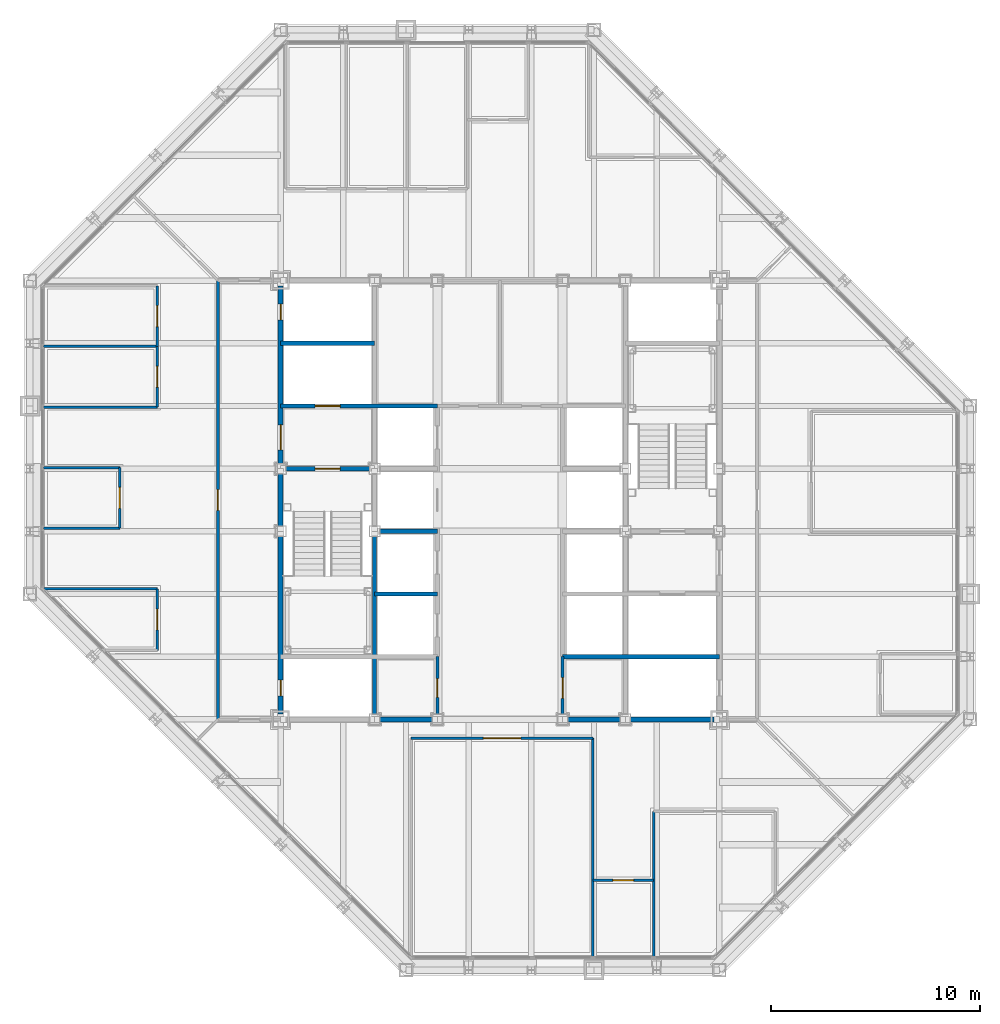
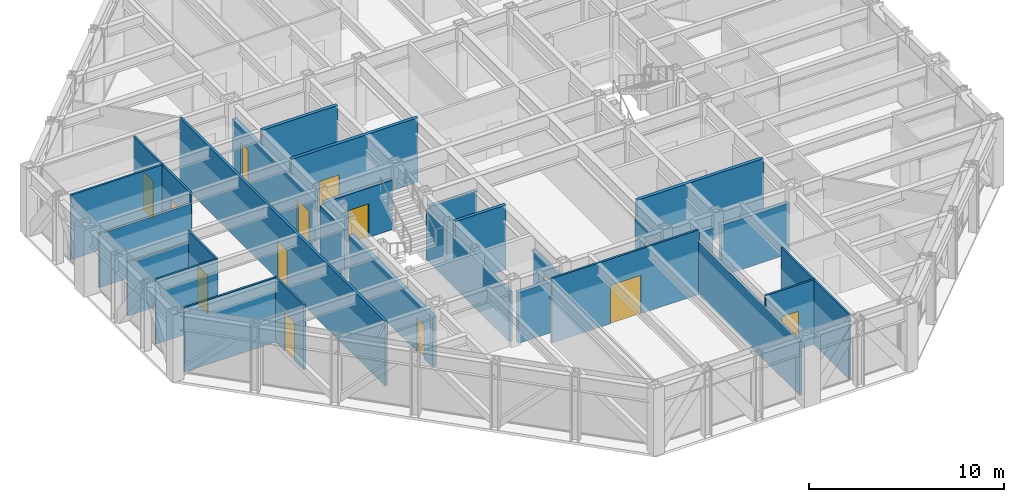
# One storey, part 11 of 16: 29 walls, 14 doors, 14 openings.
"""IFC4 building model written with IfcOpenShell, lengths in metres."""

from ifc_helpers import new_model, si_unit, direction, frame, frame_2d, origin, place, context, subcontext, project, spatial, rectangle, extrude, material, layer, layer_set, type_object, element, fill, save


model = new_model("IFC4")

# Units and contexts
model_context = context("Model", 3, precision=1e-05, world=origin(), true_north=direction((0.0, 1.0)))
body_context = subcontext(model_context, "Body", "Model", "MODEL_VIEW")
ifc_project = project(units=[si_unit("LENGTHUNIT", "METRE"), si_unit("AREAUNIT", "SQUARE_METRE"), si_unit("VOLUMEUNIT", "CUBIC_METRE"), si_unit("PLANEANGLEUNIT", "RADIAN"), si_unit("MASSUNIT", "GRAM", prefix="KILO")], contexts=[model_context])

# Site, building, storey
site_placement = place(None, origin())
site = spatial("IfcSite", under=ifc_project, at=site_placement, CompositionType="ELEMENT")
building_placement = place(site_placement, origin())
building = spatial("IfcBuilding", under=site, at=building_placement, Name="Chuquiago Exchange Tower", CompositionType="ELEMENT")
storey_placement = place(building_placement, frame((0.0, 0.0, 239.10009765625)))
storey = spatial("IfcBuildingStorey", under=building, at=storey_placement, Name="L53", CompositionType="ELEMENT", Elevation=239.10009765625)

# Wall, opening, door
ifc_material_1 = material(Name="Concrete masonry, fully grouted", Category="masonry")
ifc_layer_1 = layer(ifc_material_1, 0.25)
ifc_layer_set_1 = layer_set([ifc_layer_1], Name="W1 core wall 250")
wall_type_1 = type_object("IfcWallType", Name="W1 core wall 250", PredefinedType="SOLIDWALL", material=ifc_layer_set_1)
wall_1_placement = place(storey_placement, frame((12.0, 12.25, 0.0), z_axis=(0.0, 0.0, 1.0), x_axis=(0.0, 1.0, 0.0)))
wall_1 = element("IfcWall", 1, at=wall_1_placement, inside=storey, type_object=wall_type_1, Name="CW-L53-00-0", PredefinedType="SOLIDWALL", context=body_context, shape_type="SweptSolid", body=[
    extrude(rectangle(XDim=8.5, YDim=0.25, at=frame_2d((4.25, 0.0))), origin(), (0.0, 0.0, 1.0), 3.11279296875),
])
opening_1_placement = place(wall_1_placement, frame((0.875, 0.0, 0.0)))
opening_1 = element("IfcOpeningElement", 2, at=opening_1_placement, cuts=wall_1, Name="Opening L53-007", PredefinedType="OPENING", context=body_context, shape_type="SweptSolid", body=[
    extrude(rectangle(XDim=0.75, YDim=2.10009765625, at=frame_2d((0.375, 1.050048828125))), frame((0.0, 0.135009765625, 0.0), z_axis=(0.0, -1.0, 0.0), x_axis=(1.0, 0.0, 0.0)), (0.0, 0.0, 1.0), 0.27001953125),
])
ifc_material_2 = material(Name="Steel door, painted", Category="steel")
door_type_1 = type_object("IfcDoorType", Name="D6 riser access door 750x2100", OperationType="SINGLE_SWING_LEFT", PredefinedType="DOOR", material=ifc_material_2)
door_1_placement = place(opening_1_placement, origin())
door_1 = element("IfcDoor", 3, at=door_1_placement, inside=storey, type_object=door_type_1, Name="Riser RW1 door", OperationType="SINGLE_SWING_LEFT", OverallHeight=2.10009765625, OverallWidth=0.75, PredefinedType="DOOR", context=body_context, shape_type="SweptSolid", body=[
    extrude(rectangle(XDim=0.75, YDim=2.10009765625, at=frame_2d((0.375, 1.050048828125))), frame((0.0, 0.02490234375, 0.0), z_axis=(0.0, -1.0, 0.0), x_axis=(1.0, 0.0, 0.0)), (0.0, 0.0, 1.0), 0.050048828125),
])
fill(opening_1, door_1)

# Wall
wall_2_placement = place(storey_placement, frame((12.0, 21.25, 0.0), z_axis=(0.0, 0.0, 1.0), x_axis=(0.0, 1.0, 0.0)))
element("IfcWall", 4, at=wall_2_placement, inside=storey, type_object=wall_type_1, Name="CW-L53-00-1", PredefinedType="SOLIDWALL", context=body_context, shape_type="SweptSolid", body=[
    extrude(rectangle(XDim=2.5, YDim=0.25, at=frame_2d((1.25, 0.0))), origin(), (0.0, 0.0, 1.0), 3.11279296875),
])

# Wall, openings, doors
wall_3_placement = place(storey_placement, frame((12.0, 24.25, 0.0), z_axis=(0.0, 0.0, 1.0), x_axis=(0.0, 1.0, 0.0)))
wall_3 = element("IfcWall", 5, at=wall_3_placement, inside=storey, type_object=wall_type_1, Name="CW-L53-00-2", PredefinedType="SOLIDWALL", context=body_context, shape_type="SweptSolid", body=[
    extrude(rectangle(XDim=8.5, YDim=0.25, at=frame_2d((4.25, 0.0))), origin(), (0.0, 0.0, 1.0), 3.11279296875),
])
opening_2_placement = place(wall_3_placement, frame((0.64990234375, 0.0, 0.0)))
opening_2 = element("IfcOpeningElement", 6, at=opening_2_placement, cuts=wall_3, Name="Opening L53-002", PredefinedType="OPENING", context=body_context, shape_type="SweptSolid", body=[
    extrude(rectangle(XDim=1.199951171875, YDim=2.10009765625, at=frame_2d((0.60009765625, 1.050048828125))), frame((0.0, 0.135009765625, 0.0), z_axis=(0.0, -1.0, 0.0), x_axis=(1.0, 0.0, 0.0)), (0.0, 0.0, 1.0), 0.27001953125),
])
opening_3_placement = place(wall_3_placement, frame((6.875, 0.0, 0.0)))
opening_3 = element("IfcOpeningElement", 7, at=opening_3_placement, cuts=wall_3, Name="Opening L53-008", PredefinedType="OPENING", context=body_context, shape_type="SweptSolid", body=[
    extrude(rectangle(XDim=0.75, YDim=2.10009765625, at=frame_2d((0.375, 1.050048828125))), frame((0.0, 0.135009765625, 0.0), z_axis=(0.0, -1.0, 0.0), x_axis=(1.0, 0.0, 0.0)), (0.0, 0.0, 1.0), 0.27001953125),
])
ifc_material_3 = material(Name="Steel door, painted", Category="steel")
door_type_2 = type_object("IfcDoorType", Name="D5 firefighting lobby door 1200x2100", OperationType="SINGLE_SWING_LEFT", PredefinedType="DOOR", material=ifc_material_3)
door_2_placement = place(opening_2_placement, frame((1.199951171875, 0.0, 0.0), z_axis=(0.0, 0.0, 1.0), x_axis=(-1.0, 0.0, 0.0)))
door_2 = element("IfcDoor", 8, at=door_2_placement, inside=storey, type_object=door_type_2, Name="Firefighting lobby 1 door", OperationType="SINGLE_SWING_RIGHT", OverallHeight=2.10009765625, OverallWidth=1.199951171875, PredefinedType="DOOR", context=body_context, shape_type="SweptSolid", body=[
    extrude(rectangle(XDim=1.199951171875, YDim=2.10009765625, at=frame_2d((0.60009765625, 1.050048828125))), frame((0.0, 0.02490234375, 0.0), z_axis=(0.0, -1.0, 0.0), x_axis=(1.0, 0.0, 0.0)), (0.0, 0.0, 1.0), 0.050048828125),
])
fill(opening_2, door_2)
door_3_placement = place(opening_3_placement, origin())
door_3 = element("IfcDoor", 9, at=door_3_placement, inside=storey, type_object=door_type_1, Name="Riser RW2 door", OperationType="SINGLE_SWING_RIGHT", OverallHeight=2.10009765625, OverallWidth=0.75, PredefinedType="DOOR", context=body_context, shape_type="SweptSolid", body=[
    extrude(rectangle(XDim=0.75, YDim=2.10009765625, at=frame_2d((0.375, 1.050048828125))), frame((0.0, 0.02490234375, 0.0), z_axis=(0.0, -1.0, 0.0), x_axis=(1.0, 0.0, 0.0)), (0.0, 0.0, 1.0), 0.050048828125),
])
fill(opening_3, door_3)

# Walls
for number, where, z_axis, x_axis, name in (
    (10, (16.75, 12.0, 0.0), (0.0, 0.0, 1.0), (1.0, 0.0, 0.0), "CW-L53-01-1"),
    (11, (25.75, 12.0, 0.0), (0.0, 0.0, 1.0), (1.0, 0.0, 0.0), "CW-L53-02-0"),
):
    element("IfcWall", number, at=place(storey_placement, frame(where, z_axis=z_axis, x_axis=x_axis)), inside=storey, type_object=wall_type_1, Name=name, PredefinedType="SOLIDWALL", context=body_context, shape_type="SweptSolid", body=[
        extrude(rectangle(XDim=2.5, YDim=0.25, at=frame_2d((1.25, 0.0))), origin(), (0.0, 0.0, 1.0), 3.181396484375),
    ])
wall_4_placement = place(storey_placement, frame((28.75, 12.0, 0.0), z_axis=(0.0, 0.0, 1.0), x_axis=(1.0, 0.0, 0.0)))
element("IfcWall", 12, at=wall_4_placement, inside=storey, type_object=wall_type_1, Name="CW-L53-02-1", PredefinedType="SOLIDWALL", context=body_context, shape_type="SweptSolid", body=[
    extrude(rectangle(XDim=4.0, YDim=0.25, at=frame_2d((2.0, 0.0))), origin(), (0.0, 0.0, 1.0), 3.181396484375),
])

# Wall, opening, door
ifc_material_4 = material(Name="Gypsum board on steel studs, acoustic insulation", Category="steel")
ifc_layer_2 = layer(ifc_material_4, 0.14990234375)
ifc_layer_set_2 = layer_set([ifc_layer_2], Name="W11 corridor wall 150")
wall_type_2 = type_object("IfcWallType", Name="W11 corridor wall 150", PredefinedType="PARTITIONING", material=ifc_layer_set_2)
wall_5_placement = place(storey_placement, frame((9.0, 12.0, 0.0), z_axis=(0.0, 0.0, 1.0), x_axis=(0.0, 1.0, 0.0)))
wall_5 = element("IfcWall", 13, at=wall_5_placement, inside=storey, type_object=wall_type_2, Name="PW-L53-GW0", PredefinedType="PARTITIONING", context=body_context, shape_type="SweptSolid", body=[
    extrude(rectangle(XDim=21.0, YDim=0.14990234375, at=frame_2d((10.5, 0.0))), origin(), (0.0, 0.0, 1.0), 4.039794921875),
])
opening_4_placement = place(wall_5_placement, frame((10.0, 0.0, 0.0)))
opening_4 = element("IfcOpeningElement", 14, at=opening_4_placement, cuts=wall_5, Name="Opening L53-033", PredefinedType="OPENING", context=body_context, shape_type="SweptSolid", body=[
    extrude(rectangle(XDim=1.0, YDim=2.39990234375, at=frame_2d((0.5, 1.199951171875))), frame((0.0, 0.0849609375, 0.0), z_axis=(0.0, -1.0, 0.0), x_axis=(1.0, 0.0, 0.0)), (0.0, 0.0, 1.0), 0.169921875),
])
ifc_material_5 = material(Name="Timber door, laminate faced", Category="wood")
door_type_3 = type_object("IfcDoorType", Name="D9 room door 1000x2400", OperationType="SINGLE_SWING_LEFT", PredefinedType="DOOR", material=ifc_material_5)
door_4_placement = place(opening_4_placement, origin())
door_4 = element("IfcDoor", 15, at=door_4_placement, inside=storey, type_object=door_type_3, Name="Team area door", OperationType="SINGLE_SWING_LEFT", OverallHeight=2.39990234375, OverallWidth=1.0, PredefinedType="DOOR", context=body_context, shape_type="SweptSolid", body=[
    extrude(rectangle(XDim=1.0, YDim=2.39990234375, at=frame_2d((0.5, 1.199951171875))), frame((0.0, 0.02490234375, 0.0), z_axis=(0.0, -1.0, 0.0), x_axis=(1.0, 0.0, 0.0)), (0.0, 0.0, 1.0), 0.050048828125),
])
fill(opening_4, door_4)

# Wall
ifc_material_6 = material(Name="Concrete masonry, fully grouted", Category="masonry")
ifc_layer_3 = layer(ifc_material_6, 0.199951171875)
ifc_layer_set_3 = layer_set([ifc_layer_3], Name="W2 shaft wall 200")
wall_type_3 = type_object("IfcWallType", Name="W2 shaft wall 200", PredefinedType="SOLIDWALL", material=ifc_layer_set_3)
wall_6_placement = place(storey_placement, frame((25.5, 15.0, 0.0), z_axis=(0.0, 0.0, 1.0), x_axis=(1.0, 0.0, 0.0)))
element("IfcWall", 16, at=wall_6_placement, inside=storey, type_object=wall_type_3, Name="CW-L53-04-0", PredefinedType="SOLIDWALL", context=body_context, shape_type="SweptSolid", body=[
    extrude(rectangle(XDim=7.5, YDim=0.199951171875, at=frame_2d((3.75, 0.0))), origin(), (0.0, 0.0, 1.0), 4.039794921875),
])

# Wall, opening, door
wall_7_placement = place(storey_placement, frame((12.25, 24.0, 0.0), z_axis=(0.0, 0.0, 1.0), x_axis=(1.0, 0.0, 0.0)))
wall_7 = element("IfcWall", 17, at=wall_7_placement, inside=storey, type_object=wall_type_3, Name="CW-L53-05-0", PredefinedType="SOLIDWALL", context=body_context, shape_type="SweptSolid", body=[
    extrude(rectangle(XDim=4.0, YDim=0.199951171875, at=frame_2d((2.0, 0.0))), origin(), (0.0, 0.0, 1.0), 3.08984375),
])
opening_5_placement = place(wall_7_placement, frame((1.39990234375, 0.0, 0.0)))
opening_5 = element("IfcOpeningElement", 18, at=opening_5_placement, cuts=wall_7, Name="Opening L53-001", PredefinedType="OPENING", context=body_context, shape_type="SweptSolid", body=[
    extrude(rectangle(XDim=1.199951171875, YDim=2.10009765625, at=frame_2d((0.60009765625, 1.050048828125))), frame((0.0, 0.10986328125, 0.0), z_axis=(0.0, -1.0, 0.0), x_axis=(1.0, 0.0, 0.0)), (0.0, 0.0, 1.0), 0.219970703125),
])
ifc_material_7 = material(Name="Steel door, painted", Category="steel")
door_type_4 = type_object("IfcDoorType", Name="D4 stair door 1200x2100", OperationType="SINGLE_SWING_LEFT", PredefinedType="DOOR", material=ifc_material_7)
door_5_placement = place(opening_5_placement, frame((1.199951171875, 0.0, 0.0), z_axis=(0.0, 0.0, 1.0), x_axis=(-1.0, 0.0, 0.0)))
door_5 = element("IfcDoor", 19, at=door_5_placement, inside=storey, type_object=door_type_4, Name="Stair ST1 door", OperationType="SINGLE_SWING_RIGHT", OverallHeight=2.10009765625, OverallWidth=1.199951171875, PredefinedType="DOOR", context=body_context, shape_type="SweptSolid", body=[
    extrude(rectangle(XDim=1.199951171875, YDim=2.10009765625, at=frame_2d((0.60009765625, 1.050048828125))), frame((0.0, 0.02490234375, 0.0), z_axis=(0.0, -1.0, 0.0), x_axis=(1.0, 0.0, 0.0)), (0.0, 0.0, 1.0), 0.050048828125),
])
fill(opening_5, door_5)

wall_8_placement = place(storey_placement, frame((12.0, 27.0, 0.0), z_axis=(0.0, 0.0, 1.0), x_axis=(1.0, 0.0, 0.0)))
wall_8 = element("IfcWall", 20, at=wall_8_placement, inside=storey, type_object=wall_type_3, Name="CW-L53-07-0", PredefinedType="SOLIDWALL", context=body_context, shape_type="SweptSolid", body=[
    extrude(rectangle(XDim=7.5, YDim=0.199951171875, at=frame_2d((3.75, 0.0))), origin(), (0.0, 0.0, 1.0), 4.039794921875),
])
opening_6_placement = place(wall_8_placement, frame((1.64990234375, 0.0, 0.0)))
opening_6 = element("IfcOpeningElement", 21, at=opening_6_placement, cuts=wall_8, Name="Opening L53-005", PredefinedType="OPENING", context=body_context, shape_type="SweptSolid", body=[
    extrude(rectangle(XDim=1.199951171875, YDim=2.10009765625, at=frame_2d((0.60009765625, 1.050048828125))), frame((0.0, 0.10986328125, 0.0), z_axis=(0.0, -1.0, 0.0), x_axis=(1.0, 0.0, 0.0)), (0.0, 0.0, 1.0), 0.219970703125),
])
ifc_material_8 = material(Name="Stainless steel lift landing door", Category="steel")
door_type_5 = type_object("IfcDoorType", Name="LD2 firefighting lift landing door 1200x2100", OperationType="DOUBLE_DOOR_SLIDING", PredefinedType="DOOR", material=ifc_material_8)
door_6_placement = place(opening_6_placement, origin())
door_6 = element("IfcDoor", 22, at=door_6_placement, inside=storey, type_object=door_type_5, Name="Firefighting lift FL1 landing door", OperationType="DOUBLE_DOOR_SLIDING", OverallHeight=2.10009765625, OverallWidth=1.199951171875, PredefinedType="DOOR", context=body_context, shape_type="SweptSolid", body=[
    extrude(rectangle(XDim=1.199951171875, YDim=2.10009765625, at=frame_2d((0.60009765625, 1.050048828125))), frame((0.0, 0.02490234375, 0.0), z_axis=(0.0, -1.0, 0.0), x_axis=(1.0, 0.0, 0.0)), (0.0, 0.0, 1.0), 0.050048828125),
])
fill(opening_6, door_6)

# Walls
wall_9_placement = place(storey_placement, frame((12.0, 30.0, 0.0), z_axis=(0.0, 0.0, 1.0), x_axis=(1.0, 0.0, 0.0)))
element("IfcWall", 23, at=wall_9_placement, inside=storey, type_object=wall_type_3, Name="CW-L53-09-0", PredefinedType="SOLIDWALL", context=body_context, shape_type="SweptSolid", body=[
    extrude(rectangle(XDim=4.5, YDim=0.199951171875, at=frame_2d((2.25, 0.0))), origin(), (0.0, 0.0, 1.0), 4.039794921875),
])
wall_10_placement = place(storey_placement, frame((16.5, 12.25, 0.0), z_axis=(0.0, 0.0, 1.0), x_axis=(0.0, 1.0, 0.0)))
element("IfcWall", 24, at=wall_10_placement, inside=storey, type_object=wall_type_3, Name="CW-L53-13-0", PredefinedType="SOLIDWALL", context=body_context, shape_type="SweptSolid", body=[
    extrude(rectangle(XDim=8.5, YDim=0.199951171875, at=frame_2d((4.25, 0.0))), origin(), (0.0, 0.0, 1.0), 3.11279296875),
])
wall_11_placement = place(storey_placement, frame((16.5, 18.0, 0.0), z_axis=(0.0, 0.0, 1.0), x_axis=(1.0, 0.0, 0.0)))
element("IfcWall", 25, at=wall_11_placement, inside=storey, type_object=wall_type_3, Name="CW-L53-14-0", PredefinedType="SOLIDWALL", context=body_context, shape_type="SweptSolid", body=[
    extrude(rectangle(XDim=3.0, YDim=0.199951171875, at=frame_2d((1.5, 0.0))), origin(), (0.0, 0.0, 1.0), 4.039794921875),
])
wall_12_placement = place(storey_placement, frame((16.75, 21.0, 0.0), z_axis=(0.0, 0.0, 1.0), x_axis=(1.0, 0.0, 0.0)))
element("IfcWall", 26, at=wall_12_placement, inside=storey, type_object=wall_type_3, Name="CW-L53-16-0", PredefinedType="SOLIDWALL", context=body_context, shape_type="SweptSolid", body=[
    extrude(rectangle(XDim=2.75, YDim=0.199951171875, at=frame_2d((1.375, 0.0))), origin(), (0.0, 0.0, 1.0), 3.08984375),
])

# Wall, opening, door
ifc_material_9 = material(Name="Gypsum board on steel studs", Category="steel")
ifc_layer_4 = layer(ifc_material_9, 0.14990234375)
ifc_layer_set_4 = layer_set([ifc_layer_4], Name="W3 core partition 150")
wall_type_4 = type_object("IfcWallType", Name="W3 core partition 150", PredefinedType="PARTITIONING", material=ifc_layer_set_4)
wall_13_placement = place(storey_placement, frame((19.5, 12.25, 0.0), z_axis=(0.0, 0.0, 1.0), x_axis=(0.0, 1.0, 0.0)))
wall_13 = element("IfcWall", 27, at=wall_13_placement, inside=storey, type_object=wall_type_4, Name="CW-L53-18-0", PredefinedType="PARTITIONING", context=body_context, shape_type="SweptSolid", body=[
    extrude(rectangle(XDim=2.75, YDim=0.14990234375, at=frame_2d((1.375, 0.0))), origin(), (0.0, 0.0, 1.0), 3.064453125),
])
opening_7_placement = place(wall_13_placement, frame((0.800048828125, 0.0, 0.0)))
opening_7 = element("IfcOpeningElement", 28, at=opening_7_placement, cuts=wall_13, Name="Opening L53-014", PredefinedType="OPENING", context=body_context, shape_type="SweptSolid", body=[
    extrude(rectangle(XDim=0.89990234375, YDim=2.10009765625, at=frame_2d((0.449951171875, 1.050048828125))), frame((0.0, 0.0849609375, 0.0), z_axis=(0.0, -1.0, 0.0), x_axis=(1.0, 0.0, 0.0)), (0.0, 0.0, 1.0), 0.169921875),
])
ifc_material_10 = material(Name="Timber door, laminate faced", Category="wood")
door_type_6 = type_object("IfcDoorType", Name="D7 toilet door 900x2100", OperationType="SINGLE_SWING_LEFT", PredefinedType="DOOR", material=ifc_material_10)
door_7_placement = place(opening_7_placement, frame((0.89990234375, 0.0, 0.0), z_axis=(0.0, 0.0, 1.0), x_axis=(-1.0, 0.0, 0.0)))
door_7 = element("IfcDoor", 29, at=door_7_placement, inside=storey, type_object=door_type_6, Name="Cleaner door", OperationType="SINGLE_SWING_RIGHT", OverallHeight=2.10009765625, OverallWidth=0.89990234375, PredefinedType="DOOR", context=body_context, shape_type="SweptSolid", body=[
    extrude(rectangle(XDim=0.89990234375, YDim=2.10009765625, at=frame_2d((0.449951171875, 1.050048828125))), frame((0.0, 0.02490234375, 0.0), z_axis=(0.0, -1.0, 0.0), x_axis=(1.0, 0.0, 0.0)), (0.0, 0.0, 1.0), 0.050048828125),
])
fill(opening_7, door_7)

wall_14_placement = place(storey_placement, frame((25.5, 12.25, 0.0), z_axis=(0.0, 0.0, 1.0), x_axis=(0.0, 1.0, 0.0)))
wall_14 = element("IfcWall", 30, at=wall_14_placement, inside=storey, type_object=wall_type_4, Name="CW-L53-21-0", PredefinedType="PARTITIONING", context=body_context, shape_type="SweptSolid", body=[
    extrude(rectangle(XDim=2.75, YDim=0.14990234375, at=frame_2d((1.375, 0.0))), origin(), (0.0, 0.0, 1.0), 3.064453125),
])
opening_8_placement = place(wall_14_placement, frame((0.75, 0.0, 0.0)))
opening_8 = element("IfcOpeningElement", 31, at=opening_8_placement, cuts=wall_14, Name="Opening L53-013", PredefinedType="OPENING", context=body_context, shape_type="SweptSolid", body=[
    extrude(rectangle(XDim=1.0, YDim=2.10009765625, at=frame_2d((0.5, 1.050048828125))), frame((0.0, 0.0849609375, 0.0), z_axis=(0.0, -1.0, 0.0), x_axis=(1.0, 0.0, 0.0)), (0.0, 0.0, 1.0), 0.169921875),
])
ifc_material_11 = material(Name="Timber door, laminate faced", Category="wood")
door_type_7 = type_object("IfcDoorType", Name="D8 accessible toilet door 1000x2100", OperationType="SLIDING_TO_LEFT", PredefinedType="DOOR", material=ifc_material_11)
door_8_placement = place(opening_8_placement, origin())
door_8 = element("IfcDoor", 32, at=door_8_placement, inside=storey, type_object=door_type_7, Name="Accessible WC door", OperationType="SLIDING_TO_LEFT", OverallHeight=2.10009765625, OverallWidth=1.0, PredefinedType="DOOR", context=body_context, shape_type="SweptSolid", body=[
    extrude(rectangle(XDim=1.0, YDim=2.10009765625, at=frame_2d((0.5, 1.050048828125))), frame((0.0, 0.02490234375, 0.0), z_axis=(0.0, -1.0, 0.0), x_axis=(1.0, 0.0, 0.0)), (0.0, 0.0, 1.0), 0.050048828125),
])
fill(opening_8, door_8)

# Walls
ifc_material_12 = material(Name="Gypsum board on steel studs", Category="steel")
ifc_layer_5 = layer(ifc_material_12, 0.1201171875)
ifc_layer_set_5 = layer_set([ifc_layer_5], Name="W4 partition 120")
wall_type_5 = type_object("IfcWallType", Name="W4 partition 120", PredefinedType="PARTITIONING", material=ifc_layer_set_5)
wall_15_placement = place(storey_placement, frame((26.9501953125, 0.652587890625, 0.0), z_axis=(0.0, 0.0, 1.0), x_axis=(0.0, 1.0, 0.0)))
element("IfcWall", 33, at=wall_15_placement, inside=storey, type_object=wall_type_5, Name="PW-L53-S02695", PredefinedType="PARTITIONING", context=body_context, shape_type="SweptSolid", body=[
    extrude(rectangle(XDim=10.447509765625, YDim=0.1201171875, at=frame_2d((5.2236328125, 0.0))), origin(), (0.0, 0.0, 1.0), 3.356689453125),
])
wall_16_placement = place(storey_placement, frame((29.850830078125, 0.652587890625, 0.0), z_axis=(0.0, 0.0, 1.0), x_axis=(0.0, 1.0, 0.0)))
element("IfcWall", 34, at=wall_16_placement, inside=storey, type_object=wall_type_5, Name="PW-L53-S02985", PredefinedType="PARTITIONING", context=body_context, shape_type="SweptSolid", body=[
    extrude(rectangle(XDim=6.947509765625, YDim=0.1201171875, at=frame_2d((3.4736328125, 0.0))), origin(), (0.0, 0.0, 1.0), 4.039794921875),
])

# Wall, opening, door
wall_17_placement = place(storey_placement, frame((18.24853515625, 11.10009765625, 0.0), z_axis=(0.0, 0.0, 1.0), x_axis=(1.0, 0.0, 0.0)))
wall_17 = element("IfcWall", 35, at=wall_17_placement, inside=storey, type_object=wall_type_5, Name="PW-L53-SF01825", PredefinedType="PARTITIONING", context=body_context, shape_type="SweptSolid", body=[
    extrude(rectangle(XDim=8.70166015625, YDim=0.1201171875, at=frame_2d((4.350830078125, 0.0))), origin(), (0.0, 0.0, 1.0), 4.039794921875),
])
opening_9_placement = place(wall_17_placement, frame((3.450927734375, 0.0, 0.0)))
opening_9 = element("IfcOpeningElement", 36, at=opening_9_placement, cuts=wall_17, Name="Opening L53-019", PredefinedType="OPENING", context=body_context, shape_type="SweptSolid", body=[
    extrude(rectangle(XDim=1.800048828125, YDim=2.39990234375, at=frame_2d((0.89990234375, 1.199951171875))), frame((0.0, 0.070068359375, 0.0), z_axis=(0.0, -1.0, 0.0), x_axis=(1.0, 0.0, 0.0)), (0.0, 0.0, 1.0), 0.14013671875),
])
ifc_material_13 = material(Name="Timber door pair, laminate faced", Category="wood")
door_type_8 = type_object("IfcDoorType", Name="D15 double room door 1800x2400", OperationType="DOUBLE_DOOR_DOUBLE_SWING", PredefinedType="DOOR", material=ifc_material_13)
door_9_placement = place(opening_9_placement, origin())
door_9 = element("IfcDoor", 37, at=door_9_placement, inside=storey, type_object=door_type_8, Name="Trading room door", OperationType="DOUBLE_DOOR_DOUBLE_SWING", OverallHeight=2.39990234375, OverallWidth=1.800048828125, PredefinedType="DOOR", context=body_context, shape_type="SweptSolid", body=[
    extrude(rectangle(XDim=1.800048828125, YDim=2.39990234375, at=frame_2d((0.89990234375, 1.199951171875))), frame((0.0, 0.02490234375, 0.0), z_axis=(0.0, -1.0, 0.0), x_axis=(1.0, 0.0, 0.0)), (0.0, 0.0, 1.0), 0.050048828125),
])
fill(opening_9, door_9)

wall_18_placement = place(storey_placement, frame((26.9501953125, 4.300048828125, 0.0), z_axis=(0.0, 0.0, 1.0), x_axis=(1.0, 0.0, 0.0)))
wall_18 = element("IfcWall", 38, at=wall_18_placement, inside=storey, type_object=wall_type_5, Name="PW-L53-SF02695", PredefinedType="PARTITIONING", context=body_context, shape_type="SweptSolid", body=[
    extrude(rectangle(XDim=2.900634765625, YDim=0.1201171875, at=frame_2d((1.4501953125, 0.0))), origin(), (0.0, 0.0, 1.0), 4.039794921875),
])
opening_10_placement = place(wall_18_placement, frame((0.9501953125, 0.0, 0.0)))
opening_10 = element("IfcOpeningElement", 39, at=opening_10_placement, cuts=wall_18, Name="Opening L53-020", PredefinedType="OPENING", context=body_context, shape_type="SweptSolid", body=[
    extrude(rectangle(XDim=1.0, YDim=2.39990234375, at=frame_2d((0.5, 1.199951171875))), frame((0.0, 0.070068359375, 0.0), z_axis=(0.0, -1.0, 0.0), x_axis=(1.0, 0.0, 0.0)), (0.0, 0.0, 1.0), 0.14013671875),
])
ifc_material_14 = material(Name="Timber frame door, full height glazed panel", Category="wood")
door_type_9 = type_object("IfcDoorType", Name="D14 glazed meeting room door 1000x2400", OperationType="SINGLE_SWING_LEFT", PredefinedType="DOOR", material=ifc_material_14)
door_10_placement = place(opening_10_placement, frame((1.0, 0.0, 0.0), z_axis=(0.0, 0.0, 1.0), x_axis=(-1.0, 0.0, 0.0)))
door_10 = element("IfcDoor", 40, at=door_10_placement, inside=storey, type_object=door_type_9, Name="Focus room door", OperationType="SINGLE_SWING_RIGHT", OverallHeight=2.39990234375, OverallWidth=1.0, PredefinedType="DOOR", context=body_context, shape_type="SweptSolid", body=[
    extrude(rectangle(XDim=1.0, YDim=2.39990234375, at=frame_2d((0.5, 1.199951171875))), frame((0.0, 0.02490234375, 0.0), z_axis=(0.0, -1.0, 0.0), x_axis=(1.0, 0.0, 0.0)), (0.0, 0.0, 1.0), 0.050048828125),
])
fill(opening_10, door_10)

# Walls
wall_19_placement = place(storey_placement, frame((0.666015625, 18.24853515625, 0.0), z_axis=(0.0, 0.0, 1.0), x_axis=(1.0, 0.0, 0.0)))
element("IfcWall", 41, at=wall_19_placement, inside=storey, type_object=wall_type_5, Name="PW-L53-W01825", PredefinedType="PARTITIONING", context=body_context, shape_type="SweptSolid", body=[
    extrude(rectangle(XDim=5.43408203125, YDim=0.1201171875, at=frame_2d((2.717041015625, 0.0))), origin(), (0.0, 0.0, 1.0), 4.039794921875),
])
wall_20_placement = place(storey_placement, frame((0.652587890625, 21.149169921875, 0.0), z_axis=(0.0, 0.0, 1.0), x_axis=(1.0, 0.0, 0.0)))
element("IfcWall", 42, at=wall_20_placement, inside=storey, type_object=wall_type_5, Name="PW-L53-W02115", PredefinedType="PARTITIONING", context=body_context, shape_type="SweptSolid", body=[
    extrude(rectangle(XDim=3.6474609375, YDim=0.1201171875, at=frame_2d((1.82373046875, 0.0))), origin(), (0.0, 0.0, 1.0), 4.039794921875),
])
wall_21_placement = place(storey_placement, frame((0.652587890625, 24.0498046875, 0.0), z_axis=(0.0, 0.0, 1.0), x_axis=(1.0, 0.0, 0.0)))
element("IfcWall", 43, at=wall_21_placement, inside=storey, type_object=wall_type_5, Name="PW-L53-W02405", PredefinedType="PARTITIONING", context=body_context, shape_type="SweptSolid", body=[
    extrude(rectangle(XDim=3.6474609375, YDim=0.1201171875, at=frame_2d((1.82373046875, 0.0))), origin(), (0.0, 0.0, 1.0), 3.356689453125),
])
wall_22_placement = place(storey_placement, frame((0.652587890625, 26.9501953125, 0.0), z_axis=(0.0, 0.0, 1.0), x_axis=(1.0, 0.0, 0.0)))
element("IfcWall", 44, at=wall_22_placement, inside=storey, type_object=wall_type_5, Name="PW-L53-W02695", PredefinedType="PARTITIONING", context=body_context, shape_type="SweptSolid", body=[
    extrude(rectangle(XDim=5.447509765625, YDim=0.1201171875, at=frame_2d((2.7236328125, 0.0))), origin(), (0.0, 0.0, 1.0), 3.356689453125),
])
wall_23_placement = place(storey_placement, frame((0.652587890625, 29.850830078125, 0.0), z_axis=(0.0, 0.0, 1.0), x_axis=(1.0, 0.0, 0.0)))
element("IfcWall", 45, at=wall_23_placement, inside=storey, type_object=wall_type_5, Name="PW-L53-W02985", PredefinedType="PARTITIONING", context=body_context, shape_type="SweptSolid", body=[
    extrude(rectangle(XDim=5.447509765625, YDim=0.1201171875, at=frame_2d((2.7236328125, 0.0))), origin(), (0.0, 0.0, 1.0), 4.039794921875),
])

# Wall, opening, door
wall_24_placement = place(storey_placement, frame((6.10009765625, 15.30712890625, 0.0), z_axis=(0.0, 0.0, 1.0), x_axis=(0.0, 1.0, 0.0)))
wall_24 = element("IfcWall", 46, at=wall_24_placement, inside=storey, type_object=wall_type_5, Name="PW-L53-WF01531", PredefinedType="PARTITIONING", context=body_context, shape_type="SweptSolid", body=[
    extrude(rectangle(XDim=2.94140625, YDim=0.1201171875, at=frame_2d((1.470703125, 0.0))), origin(), (0.0, 0.0, 1.0), 4.039794921875),
])
opening_11_placement = place(wall_24_placement, frame((0.970703125, 0.0, 0.0)))
opening_11 = element("IfcOpeningElement", 47, at=opening_11_placement, cuts=wall_24, Name="Opening L53-029", PredefinedType="OPENING", context=body_context, shape_type="SweptSolid", body=[
    extrude(rectangle(XDim=1.0, YDim=2.39990234375, at=frame_2d((0.5, 1.199951171875))), frame((0.0, 0.070068359375, 0.0), z_axis=(0.0, -1.0, 0.0), x_axis=(1.0, 0.0, 0.0)), (0.0, 0.0, 1.0), 0.14013671875),
])
door_11_placement = place(opening_11_placement, origin())
door_11 = element("IfcDoor", 48, at=door_11_placement, inside=storey, type_object=door_type_9, Name="Meeting room door", OperationType="SINGLE_SWING_RIGHT", OverallHeight=2.39990234375, OverallWidth=1.0, PredefinedType="DOOR", context=body_context, shape_type="SweptSolid", body=[
    extrude(rectangle(XDim=1.0, YDim=2.39990234375, at=frame_2d((0.5, 1.199951171875))), frame((0.0, 0.02490234375, 0.0), z_axis=(0.0, -1.0, 0.0), x_axis=(1.0, 0.0, 0.0)), (0.0, 0.0, 1.0), 0.050048828125),
])
fill(opening_11, door_11)

wall_25_placement = place(storey_placement, frame((4.300048828125, 21.149169921875, 0.0), z_axis=(0.0, 0.0, 1.0), x_axis=(0.0, 1.0, 0.0)))
wall_25 = element("IfcWall", 49, at=wall_25_placement, inside=storey, type_object=wall_type_5, Name="PW-L53-WF02115", PredefinedType="PARTITIONING", context=body_context, shape_type="SweptSolid", body=[
    extrude(rectangle(XDim=2.900634765625, YDim=0.1201171875, at=frame_2d((1.4501953125, 0.0))), origin(), (0.0, 0.0, 1.0), 4.039794921875),
])
opening_12_placement = place(wall_25_placement, frame((0.9501953125, 0.0, 0.0)))
opening_12 = element("IfcOpeningElement", 50, at=opening_12_placement, cuts=wall_25, Name="Opening L53-030", PredefinedType="OPENING", context=body_context, shape_type="SweptSolid", body=[
    extrude(rectangle(XDim=1.0, YDim=2.39990234375, at=frame_2d((0.5, 1.199951171875))), frame((0.0, 0.070068359375, 0.0), z_axis=(0.0, -1.0, 0.0), x_axis=(1.0, 0.0, 0.0)), (0.0, 0.0, 1.0), 0.14013671875),
])
door_12_placement = place(opening_12_placement, origin())
door_12 = element("IfcDoor", 51, at=door_12_placement, inside=storey, type_object=door_type_9, Name="Focus room door", OperationType="SINGLE_SWING_LEFT", OverallHeight=2.39990234375, OverallWidth=1.0, PredefinedType="DOOR", context=body_context, shape_type="SweptSolid", body=[
    extrude(rectangle(XDim=1.0, YDim=2.39990234375, at=frame_2d((0.5, 1.199951171875))), frame((0.0, 0.02490234375, 0.0), z_axis=(0.0, -1.0, 0.0), x_axis=(1.0, 0.0, 0.0)), (0.0, 0.0, 1.0), 0.050048828125),
])
fill(opening_12, door_12)

wall_26_placement = place(storey_placement, frame((6.10009765625, 26.9501953125, 0.0), z_axis=(0.0, 0.0, 1.0), x_axis=(0.0, 1.0, 0.0)))
wall_26 = element("IfcWall", 52, at=wall_26_placement, inside=storey, type_object=wall_type_5, Name="PW-L53-WF02695", PredefinedType="PARTITIONING", context=body_context, shape_type="SweptSolid", body=[
    extrude(rectangle(XDim=2.900634765625, YDim=0.1201171875, at=frame_2d((1.4501953125, 0.0))), origin(), (0.0, 0.0, 1.0), 4.039794921875),
])
opening_13_placement = place(wall_26_placement, frame((0.9501953125, 0.0, 0.0)))
opening_13 = element("IfcOpeningElement", 53, at=opening_13_placement, cuts=wall_26, Name="Opening L53-031", PredefinedType="OPENING", context=body_context, shape_type="SweptSolid", body=[
    extrude(rectangle(XDim=1.0, YDim=2.39990234375, at=frame_2d((0.5, 1.199951171875))), frame((0.0, 0.070068359375, 0.0), z_axis=(0.0, -1.0, 0.0), x_axis=(1.0, 0.0, 0.0)), (0.0, 0.0, 1.0), 0.14013671875),
])
door_13_placement = place(opening_13_placement, origin())
door_13 = element("IfcDoor", 54, at=door_13_placement, inside=storey, type_object=door_type_3, Name="Office door", OperationType="SINGLE_SWING_LEFT", OverallHeight=2.39990234375, OverallWidth=1.0, PredefinedType="DOOR", context=body_context, shape_type="SweptSolid", body=[
    extrude(rectangle(XDim=1.0, YDim=2.39990234375, at=frame_2d((0.5, 1.199951171875))), frame((0.0, 0.02490234375, 0.0), z_axis=(0.0, -1.0, 0.0), x_axis=(1.0, 0.0, 0.0)), (0.0, 0.0, 1.0), 0.050048828125),
])
fill(opening_13, door_13)

wall_27_placement = place(storey_placement, frame((6.10009765625, 29.850830078125, 0.0), z_axis=(0.0, 0.0, 1.0), x_axis=(0.0, 1.0, 0.0)))
wall_27 = element("IfcWall", 55, at=wall_27_placement, inside=storey, type_object=wall_type_5, Name="PW-L53-WF02985", PredefinedType="PARTITIONING", context=body_context, shape_type="SweptSolid", body=[
    extrude(rectangle(XDim=2.900634765625, YDim=0.1201171875, at=frame_2d((1.4501953125, 0.0))), origin(), (0.0, 0.0, 1.0), 4.039794921875),
])
opening_14_placement = place(wall_27_placement, frame((0.9501953125, 0.0, 0.0)))
opening_14 = element("IfcOpeningElement", 56, at=opening_14_placement, cuts=wall_27, Name="Opening L53-032", PredefinedType="OPENING", context=body_context, shape_type="SweptSolid", body=[
    extrude(rectangle(XDim=1.0, YDim=2.39990234375, at=frame_2d((0.5, 1.199951171875))), frame((0.0, 0.070068359375, 0.0), z_axis=(0.0, -1.0, 0.0), x_axis=(1.0, 0.0, 0.0)), (0.0, 0.0, 1.0), 0.14013671875),
])
door_14_placement = place(opening_14_placement, origin())
door_14 = element("IfcDoor", 57, at=door_14_placement, inside=storey, type_object=door_type_3, Name="Office door", OperationType="SINGLE_SWING_LEFT", OverallHeight=2.39990234375, OverallWidth=1.0, PredefinedType="DOOR", context=body_context, shape_type="SweptSolid", body=[
    extrude(rectangle(XDim=1.0, YDim=2.39990234375, at=frame_2d((0.5, 1.199951171875))), frame((0.0, 0.02490234375, 0.0), z_axis=(0.0, -1.0, 0.0), x_axis=(1.0, 0.0, 0.0)), (0.0, 0.0, 1.0), 0.050048828125),
])
fill(opening_14, door_14)

save(model, "model.ifc")
